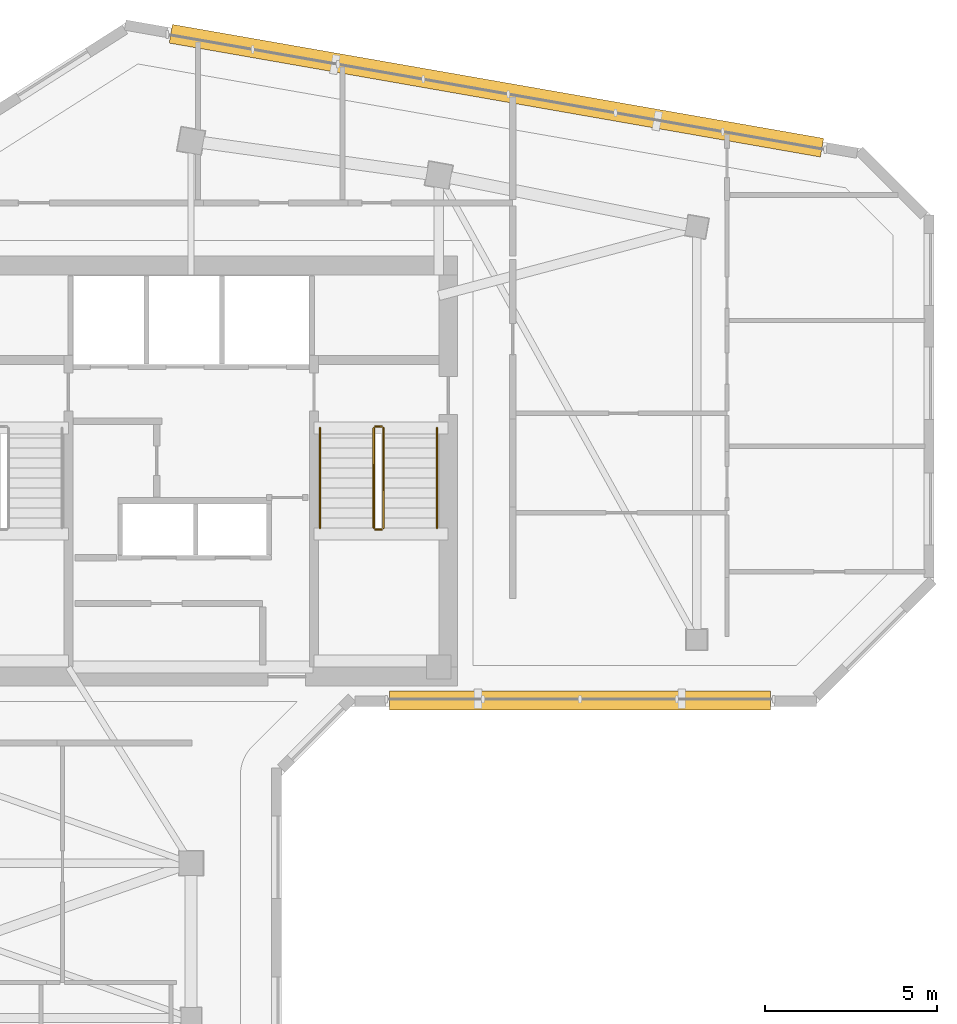
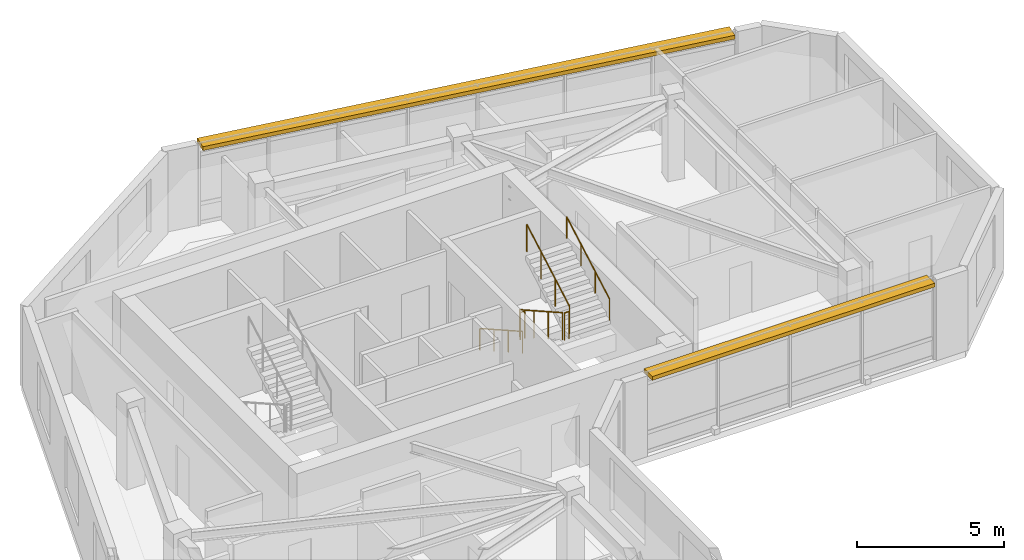
# One storey, part 8 of 8: 6 railings, 2 shading devices.
"""IFC4 building model written with IfcOpenShell, lengths in metres."""

from ifc_helpers import new_model, si_unit, direction, frame, frame_2d, origin, origin_2d, place, context, subcontext, project, spatial, rectangle, circle, extrude, material, type_object, element, save


model = new_model("IFC4")

# Units and contexts
model_context = context("Model", 3, precision=1e-05, world=origin(), true_north=direction((0.0, 1.0)))
body_context = subcontext(model_context, "Body", "Model", "MODEL_VIEW")
ifc_project = project(units=[si_unit("LENGTHUNIT", "METRE"), si_unit("AREAUNIT", "SQUARE_METRE"), si_unit("VOLUMEUNIT", "CUBIC_METRE"), si_unit("PLANEANGLEUNIT", "RADIAN"), si_unit("MASSUNIT", "GRAM", prefix="KILO")], contexts=[model_context])

# Site, building, storey
site_placement = place(None, origin())
site = spatial("IfcSite", under=ifc_project, at=site_placement, CompositionType="ELEMENT")
building_placement = place(site_placement, origin())
building = spatial("IfcBuilding", under=site, at=building_placement, Name="Calvemar Wedge Station Tower", CompositionType="ELEMENT")
storey_placement = place(building_placement, frame((0.0, 0.0, 249.300048828125)))
storey = spatial("IfcBuildingStorey", under=building, at=storey_placement, Name="L63", CompositionType="ELEMENT", Elevation=249.300048828125)

# Railings
ifc_material_1 = material(Name="Stainless steel AISI 316L", Category="steel")
railing_type_1 = type_object("IfcRailingType", Name="RL-HANDRAIL-920", PredefinedType="HANDRAIL", material=ifc_material_1)
railing_1_placement = place(storey_placement, frame((27.550048828125, 41.14990234375, 0.16357421875)))
element("IfcRailing", 1, at=railing_1_placement, inside=storey, type_object=railing_type_1, Name="L63 ST-C2 stair handrail 1", PredefinedType="HANDRAIL", context=body_context, shape_type="SweptSolid", body=[
    extrude(circle(Radius=0.02392578125, at=origin_2d()), frame((0.0, 0.0, 0.89599609375), z_axis=(0.0, -0.870897200241, 0.491465224214), x_axis=(1.0, 0.0, 0.0)), (0.0, 0.0, 1.0), 3.329833984375),
    extrude(circle(Radius=0.02099609375, at=origin_2d()), origin(), (0.0, 0.0, 1.0), 0.871826171875),
    extrude(circle(Radius=0.02099609375, at=origin_2d()), frame((0.0, -0.966552734375, 0.54541015625)), (0.0, 0.0, 1.0), 0.871826171875),
    extrude(circle(Radius=0.02099609375, at=origin_2d()), frame((0.0, -1.933349609375, 1.091064453125)), (0.0, 0.0, 1.0), 0.871826171875),
    extrude(circle(Radius=0.02099609375, at=origin_2d()), frame((0.0, -2.89990234375, 1.636474609375)), (0.0, 0.0, 1.0), 0.871826171875),
])
railing_2_placement = place(storey_placement, frame((30.949951171875, 38.25, 1.963623046875)))
element("IfcRailing", 2, at=railing_2_placement, inside=storey, type_object=railing_type_1, Name="L63 ST-C2 stair handrail 2", PredefinedType="HANDRAIL", context=body_context, shape_type="SweptSolid", body=[
    extrude(circle(Radius=0.02392578125, at=origin_2d()), frame((0.0, 0.0, 0.89599609375), z_axis=(0.0, 0.870928581787, 0.491409610636), x_axis=(-1.0, 0.0, 0.0)), (0.0, 0.0, 1.0), 3.32958984375),
    extrude(circle(Radius=0.02099609375, at=origin_2d()), origin(), (0.0, 0.0, 1.0), 0.871826171875),
    extrude(circle(Radius=0.02099609375, at=origin_2d()), frame((0.0, 0.966552734375, 0.54541015625)), (0.0, 0.0, 1.0), 0.871826171875),
    extrude(circle(Radius=0.02099609375, at=origin_2d()), frame((0.0, 1.933349609375, 1.0908203125)), (0.0, 0.0, 1.0), 0.871826171875),
    extrude(circle(Radius=0.02099609375, at=origin_2d()), frame((0.0, 2.89990234375, 1.63623046875)), (0.0, 0.0, 1.0), 0.871826171875),
])
ifc_material_2 = material(Name="Painted steel guardrail ASTM A500 Grade C", Category="steel")
railing_type_2 = type_object("IfcRailingType", Name="RL-STAIR-GUARD-1150", PredefinedType="GUARDRAIL", material=ifc_material_2)
railing_3_placement = place(storey_placement, frame((29.110107421875, 41.14990234375, 0.16357421875)))
element("IfcRailing", 3, at=railing_3_placement, inside=storey, type_object=railing_type_2, Name="L63 ST-C2 stair guard 1", PredefinedType="GUARDRAIL", context=body_context, shape_type="SweptSolid", body=[
    extrude(circle(Radius=0.02392578125, at=origin_2d()), frame((0.0, 0.0, 1.1259765625), z_axis=(0.0, -0.870897200241, 0.491465224214), x_axis=(1.0, 0.0, 0.0)), (0.0, 0.0, 1.0), 3.329833984375),
    extrude(circle(Radius=0.02099609375, at=origin_2d()), origin(), (0.0, 0.0, 1.0), 1.101806640625),
    extrude(circle(Radius=0.02099609375, at=origin_2d()), frame((0.0, -0.966552734375, 0.54541015625)), (0.0, 0.0, 1.0), 1.101806640625),
    extrude(circle(Radius=0.02099609375, at=origin_2d()), frame((0.0, -1.933349609375, 1.091064453125)), (0.0, 0.0, 1.0), 1.101806640625),
    extrude(circle(Radius=0.02099609375, at=origin_2d()), frame((0.0, -2.89990234375, 1.636474609375)), (0.0, 0.0, 1.0), 1.101806640625),
])
railing_4_placement = place(storey_placement, frame((29.159912109375, 38.199951171875, 1.800048828125)))
element("IfcRailing", 4, at=railing_4_placement, inside=storey, type_object=railing_type_2, Name="L63 ST-C2 stair guard 2", PredefinedType="GUARDRAIL", context=body_context, shape_type="SweptSolid", body=[
    extrude(circle(Radius=0.02392578125, at=origin_2d()), frame((0.0, 0.0, 1.1259765625), z_axis=(1.0, 0.0, 0.0), x_axis=(0.0, 1.0, 0.0)), (0.0, 0.0, 1.0), 0.18017578125),
    extrude(circle(Radius=0.02099609375, at=origin_2d()), origin(), (0.0, 0.0, 1.0), 1.101806640625),
    extrude(circle(Radius=0.02099609375, at=origin_2d()), frame((0.18017578125, 0.0, 0.0)), (0.0, 0.0, 1.0), 1.101806640625),
])
railing_5_placement = place(storey_placement, frame((29.389892578125, 38.25, 1.963623046875)))
element("IfcRailing", 5, at=railing_5_placement, inside=storey, type_object=railing_type_2, Name="L63 ST-C2 stair guard 3", PredefinedType="GUARDRAIL", context=body_context, shape_type="SweptSolid", body=[
    extrude(circle(Radius=0.02392578125, at=origin_2d()), frame((0.0, 0.0, 1.1259765625), z_axis=(0.0, 0.870928581787, 0.491409610636), x_axis=(-1.0, 0.0, 0.0)), (0.0, 0.0, 1.0), 3.32958984375),
    extrude(circle(Radius=0.02099609375, at=origin_2d()), origin(), (0.0, 0.0, 1.0), 1.101806640625),
    extrude(circle(Radius=0.02099609375, at=origin_2d()), frame((0.0, 0.966552734375, 0.54541015625)), (0.0, 0.0, 1.0), 1.101806640625),
    extrude(circle(Radius=0.02099609375, at=origin_2d()), frame((0.0, 1.933349609375, 1.0908203125)), (0.0, 0.0, 1.0), 1.101806640625),
    extrude(circle(Radius=0.02099609375, at=origin_2d()), frame((0.0, 2.89990234375, 1.63623046875)), (0.0, 0.0, 1.0), 1.101806640625),
])
railing_6_placement = place(storey_placement, frame((29.159912109375, 41.199951171875, 0.0)))
element("IfcRailing", 6, at=railing_6_placement, inside=storey, type_object=railing_type_2, Name="L63 ST-C2 stair guard 4", PredefinedType="GUARDRAIL", context=body_context, shape_type="SweptSolid", body=[
    extrude(circle(Radius=0.02392578125, at=origin_2d()), frame((0.0, 0.0, 1.1259765625), z_axis=(1.0, 0.0, 0.0), x_axis=(0.0, 1.0, 0.0)), (0.0, 0.0, 1.0), 0.18017578125),
    extrude(circle(Radius=0.02099609375, at=origin_2d()), origin(), (0.0, 0.0, 1.0), 1.101806640625),
    extrude(circle(Radius=0.02099609375, at=origin_2d()), frame((0.18017578125, 0.0, 0.0)), (0.0, 0.0, 1.0), 1.101806640625),
])

# Shading devices
ifc_material_3 = material(Name="Precast concrete C45", Category="concrete")
shading_device_type = type_object("IfcShadingDeviceType", Name="SHD-EYEBROW-1", PredefinedType="SHUTTER", material=ifc_material_3)
shading_device_1_placement = place(storey_placement, frame((29.56982421875, 33.22607421875, 3.169921875), z_axis=(0.0, 0.0, 1.0), x_axis=(1.0, 0.0, 0.0)))
element("IfcShadingDevice", 7, at=shading_device_1_placement, inside=storey, type_object=shading_device_type, Name="Storey L63 Bronze GFRC Solar Eyebrow 6", PredefinedType="SHUTTER", context=body_context, shape_type="SweptSolid", body=[
    extrude(rectangle(XDim=11.068115234375, YDim=0.550048828125, at=frame_2d((5.5341796875, 0.0))), origin(), (0.0, 0.0, 1.0), 0.159912109375),
])
shading_device_2_placement = place(storey_placement, frame((42.14208984375, 49.303466796875, 3.169921875), z_axis=(0.0, 0.0, 1.0), x_axis=(-0.985037745923, 0.172338733625, 0.0)))
element("IfcShadingDevice", 8, at=shading_device_2_placement, inside=storey, type_object=shading_device_type, Name="Storey L63 Bronze GFRC Solar Eyebrow 10", PredefinedType="SHUTTER", context=body_context, shape_type="SweptSolid", body=[
    extrude(rectangle(XDim=19.219482421875, YDim=0.550048828125, at=frame_2d((9.60986328125, 0.0))), origin(), (0.0, 0.0, 1.0), 0.159912109375),
])

save(model, "model.ifc")
